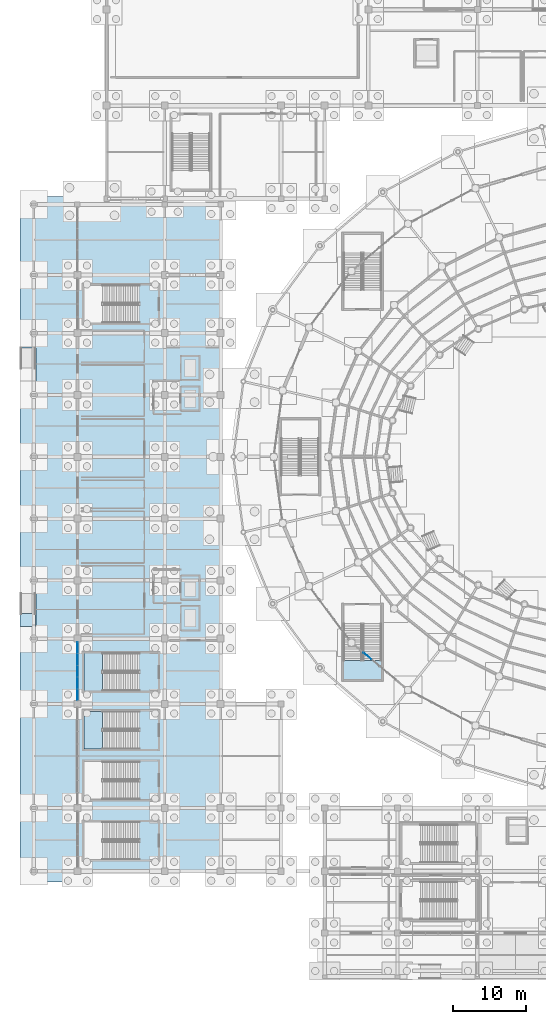
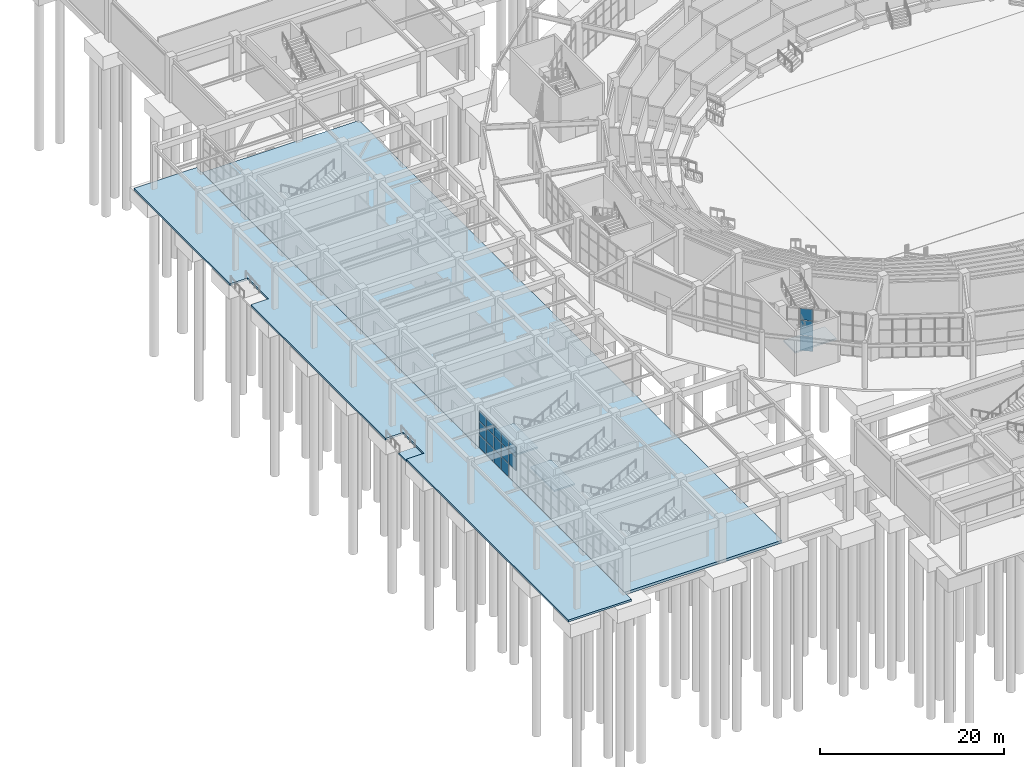
# One storey, part 64 of 121: 17 plates, 6 slabs, 6 elements without a shape of their own.
"""IFC4 building model written with IfcOpenShell, lengths in metres."""

from ifc_helpers import new_model, si_unit, direction, frame, origin, origin_2d, place, context, subcontext, project, spatial, polyline, rectangle, outline, extrude, material, layer, layer_set, type_object, element, aggregate, save


model = new_model("IFC4")

# Units and contexts
model_context = context("Model", 3, precision=1e-05, world=origin(), true_north=direction((0.0, 1.0)))
body_context = subcontext(model_context, "Body", "Model", "MODEL_VIEW")
ifc_project = project(units=[si_unit("LENGTHUNIT", "METRE"), si_unit("AREAUNIT", "SQUARE_METRE"), si_unit("VOLUMEUNIT", "CUBIC_METRE"), si_unit("PLANEANGLEUNIT", "RADIAN"), si_unit("MASSUNIT", "GRAM", prefix="KILO")], contexts=[model_context])

# Site, building, storey
site_placement = place(None, origin())
site = spatial("IfcSite", under=ifc_project, at=site_placement, CompositionType="ELEMENT")
building_placement = place(site_placement, origin())
building = spatial("IfcBuilding", under=site, at=building_placement, Name="Cuetzalor Civic Arena", CompositionType="ELEMENT")
storey_placement = place(building_placement, origin())
storey = spatial("IfcBuildingStorey", under=building, at=storey_placement, Name="L00", CompositionType="ELEMENT", Elevation=0.0)

# Curtain wall, plates
ifc_material_1 = material(Name="Anodised dark bronze aluminium and low-E solar glass", Category="aluminium")
curtain_wall_type_1 = type_object("IfcCurtainWallType", Name="UnitisedCW_8800x5700", PredefinedType="USERDEFINED", material=ifc_material_1)
curtain_wall_1_placement = place(storey_placement, origin())
curtain_wall_1 = element("IfcCurtainWall", 1, at=curtain_wall_1_placement, inside=storey, type_object=curtain_wall_type_1, Name="Drum Ground Recessed Concourse Curtain Wall L00-013", ObjectType="UNITISED CURTAIN WALL", PredefinedType="USERDEFINED")
ifc_material_2 = material(Name="Acoustic laminated solar control glass", Category="glass")
ifc_layer_1 = layer(ifc_material_2, 0.0439453125)
ifc_layer_set_1 = layer_set([ifc_layer_1], Name="Acoustic laminated solar control glass")
plate_type = type_object("IfcPlateType", Name="AcousticTripleGlazedPanel_44", PredefinedType="CURTAIN_PANEL", material=ifc_layer_set_1)
plate_1_placement = place(storey_placement, frame((-36.120361328125, -27.39501953125, 0.06982421875), z_axis=(0.0, 0.0, 1.0), x_axis=(-0.766928030459, 0.641733119059, 0.0)))
plate_1 = element("IfcPlate", 2, at=plate_1_placement, type_object=plate_type, Name="CW-03 panel 5.1", PredefinedType="CURTAIN_PANEL", context=body_context, shape_type="SweptSolid", body=[
    extrude(rectangle(XDim=1.39892578125, YDim=0.0439453125, at=origin_2d()), origin(), (0.0, 0.0, 1.0), 1.947021484375),
])
plate_2_placement = place(storey_placement, frame((-36.120361328125, -27.39501953125, 2.0869140625), z_axis=(0.0, 0.0, 1.0), x_axis=(-0.766928030459, 0.641733119059, 0.0)))
plate_2 = element("IfcPlate", 3, at=plate_2_placement, type_object=plate_type, Name="CW-03 panel 5.2", PredefinedType="CURTAIN_PANEL", context=body_context, shape_type="SweptSolid", body=[
    extrude(rectangle(XDim=1.39892578125, YDim=0.0439453125, at=origin_2d()), origin(), (0.0, 0.0, 1.0), 1.98193359375),
])
plate_3_placement = place(storey_placement, frame((-36.120361328125, -27.39501953125, 4.13916015625), z_axis=(0.0, 0.0, 1.0), x_axis=(-0.766928030459, 0.641733119059, 0.0)))
plate_3 = element("IfcPlate", 4, at=plate_3_placement, type_object=plate_type, Name="CW-03 panel 5.3", PredefinedType="CURTAIN_PANEL", context=body_context, shape_type="SweptSolid", body=[
    extrude(rectangle(XDim=1.39892578125, YDim=0.0439453125, at=origin_2d()), origin(), (0.0, 0.0, 1.0), 1.490966796875),
])
aggregate(curtain_wall_1, [plate_1, plate_2, plate_3])

ifc_material_3 = material(Name="Anodised dark bronze aluminium and low-E solar glass", Category="aluminium")
curtain_wall_type_2 = type_object("IfcCurtainWallType", Name="UnitisedCW_8100x5050", PredefinedType="USERDEFINED", material=ifc_material_3)
curtain_wall_2_placement = place(storey_placement, origin())
curtain_wall_2 = element("IfcCurtainWall", 5, at=curtain_wall_2_placement, inside=storey, type_object=curtain_wall_type_2, Name="V4W Colonnade Curtain Wall L00-105", ObjectType="UNITISED CURTAIN WALL", PredefinedType="USERDEFINED")
plate_4_placement = place(storey_placement, frame((-76.0, -32.716796875, 1.848876953125), z_axis=(0.0, 0.0, 1.0), x_axis=(0.0, 1.0, 0.0)))
plate_4 = element("IfcPlate", 6, at=plate_4_placement, type_object=plate_type, Name="CW-33 panel 1.2", PredefinedType="CURTAIN_PANEL", context=body_context, shape_type="SweptSolid", body=[
    extrude(rectangle(XDim=1.51220703125, YDim=0.0439453125, at=origin_2d()), origin(), (0.0, 0.0, 1.0), 1.7451171875),
])
plate_5_placement = place(storey_placement, frame((-76.0, -32.716796875, 3.6640625), z_axis=(0.0, 0.0, 1.0), x_axis=(0.0, 1.0, 0.0)))
plate_5 = element("IfcPlate", 7, at=plate_5_placement, type_object=plate_type, Name="CW-33 panel 1.3", PredefinedType="CURTAIN_PANEL", context=body_context, shape_type="SweptSolid", body=[
    extrude(rectangle(XDim=1.51220703125, YDim=0.0439453125, at=origin_2d()), origin(), (0.0, 0.0, 1.0), 1.305908203125),
])
plate_6_placement = place(storey_placement, frame((-76.0, -31.1171875, 0.070068359375), z_axis=(0.0, 0.0, 1.0), x_axis=(0.0, 1.0, 0.0)))
plate_6 = element("IfcPlate", 8, at=plate_6_placement, type_object=plate_type, Name="CW-33 panel 2.1", PredefinedType="CURTAIN_PANEL", context=body_context, shape_type="SweptSolid", body=[
    extrude(rectangle(XDim=1.547119140625, YDim=0.0439453125, at=origin_2d()), origin(), (0.0, 0.0, 1.0), 1.708984375),
])
plate_7_placement = place(storey_placement, frame((-76.0, -31.1171875, 1.848876953125), z_axis=(0.0, 0.0, 1.0), x_axis=(0.0, 1.0, 0.0)))
plate_7 = element("IfcPlate", 9, at=plate_7_placement, type_object=plate_type, Name="CW-33 panel 2.2", PredefinedType="CURTAIN_PANEL", context=body_context, shape_type="SweptSolid", body=[
    extrude(rectangle(XDim=1.547119140625, YDim=0.0439453125, at=origin_2d()), origin(), (0.0, 0.0, 1.0), 1.7451171875),
])
plate_8_placement = place(storey_placement, frame((-76.0, -31.1171875, 3.6640625), z_axis=(0.0, 0.0, 1.0), x_axis=(0.0, 1.0, 0.0)))
plate_8 = element("IfcPlate", 10, at=plate_8_placement, type_object=plate_type, Name="CW-33 panel 2.3", PredefinedType="CURTAIN_PANEL", context=body_context, shape_type="SweptSolid", body=[
    extrude(rectangle(XDim=1.547119140625, YDim=0.0439453125, at=origin_2d()), origin(), (0.0, 0.0, 1.0), 1.305908203125),
])
plate_9_placement = place(storey_placement, frame((-76.0, -29.5, 0.070068359375), z_axis=(0.0, 0.0, 1.0), x_axis=(0.0, 1.0, 0.0)))
plate_9 = element("IfcPlate", 11, at=plate_9_placement, type_object=plate_type, Name="CW-33 panel 3.1", PredefinedType="CURTAIN_PANEL", context=body_context, shape_type="SweptSolid", body=[
    extrude(rectangle(XDim=1.547119140625, YDim=0.0439453125, at=origin_2d()), origin(), (0.0, 0.0, 1.0), 1.708984375),
])
plate_10_placement = place(storey_placement, frame((-76.0, -29.5, 1.848876953125), z_axis=(0.0, 0.0, 1.0), x_axis=(0.0, 1.0, 0.0)))
plate_10 = element("IfcPlate", 12, at=plate_10_placement, type_object=plate_type, Name="CW-33 panel 3.2", PredefinedType="CURTAIN_PANEL", context=body_context, shape_type="SweptSolid", body=[
    extrude(rectangle(XDim=1.547119140625, YDim=0.0439453125, at=origin_2d()), origin(), (0.0, 0.0, 1.0), 1.7451171875),
])
plate_11_placement = place(storey_placement, frame((-76.0, -29.5, 3.6640625), z_axis=(0.0, 0.0, 1.0), x_axis=(0.0, 1.0, 0.0)))
plate_11 = element("IfcPlate", 13, at=plate_11_placement, type_object=plate_type, Name="CW-33 panel 3.3", PredefinedType="CURTAIN_PANEL", context=body_context, shape_type="SweptSolid", body=[
    extrude(rectangle(XDim=1.547119140625, YDim=0.0439453125, at=origin_2d()), origin(), (0.0, 0.0, 1.0), 1.305908203125),
])
plate_12_placement = place(storey_placement, frame((-76.0, -27.8828125, 0.070068359375), z_axis=(0.0, 0.0, 1.0), x_axis=(0.0, 1.0, 0.0)))
plate_12 = element("IfcPlate", 14, at=plate_12_placement, type_object=plate_type, Name="CW-33 panel 4.1", PredefinedType="CURTAIN_PANEL", context=body_context, shape_type="SweptSolid", body=[
    extrude(rectangle(XDim=1.547119140625, YDim=0.0439453125, at=origin_2d()), origin(), (0.0, 0.0, 1.0), 1.708984375),
])
plate_13_placement = place(storey_placement, frame((-76.0, -27.8828125, 1.848876953125), z_axis=(0.0, 0.0, 1.0), x_axis=(0.0, 1.0, 0.0)))
plate_13 = element("IfcPlate", 15, at=plate_13_placement, type_object=plate_type, Name="CW-33 panel 4.2", PredefinedType="CURTAIN_PANEL", context=body_context, shape_type="SweptSolid", body=[
    extrude(rectangle(XDim=1.547119140625, YDim=0.0439453125, at=origin_2d()), origin(), (0.0, 0.0, 1.0), 1.7451171875),
])
plate_14_placement = place(storey_placement, frame((-76.0, -27.8828125, 3.6640625), z_axis=(0.0, 0.0, 1.0), x_axis=(0.0, 1.0, 0.0)))
plate_14 = element("IfcPlate", 16, at=plate_14_placement, type_object=plate_type, Name="CW-33 panel 4.3", PredefinedType="CURTAIN_PANEL", context=body_context, shape_type="SweptSolid", body=[
    extrude(rectangle(XDim=1.547119140625, YDim=0.0439453125, at=origin_2d()), origin(), (0.0, 0.0, 1.0), 1.305908203125),
])
plate_15_placement = place(storey_placement, frame((-76.0, -26.283203125, 0.070068359375), z_axis=(0.0, 0.0, 1.0), x_axis=(0.0, 1.0, 0.0)))
plate_15 = element("IfcPlate", 17, at=plate_15_placement, type_object=plate_type, Name="CW-33 panel 5.1", PredefinedType="CURTAIN_PANEL", context=body_context, shape_type="SweptSolid", body=[
    extrude(rectangle(XDim=1.51220703125, YDim=0.0439453125, at=origin_2d()), origin(), (0.0, 0.0, 1.0), 1.708984375),
])
plate_16_placement = place(storey_placement, frame((-76.0, -26.283203125, 1.848876953125), z_axis=(0.0, 0.0, 1.0), x_axis=(0.0, 1.0, 0.0)))
plate_16 = element("IfcPlate", 18, at=plate_16_placement, type_object=plate_type, Name="CW-33 panel 5.2", PredefinedType="CURTAIN_PANEL", context=body_context, shape_type="SweptSolid", body=[
    extrude(rectangle(XDim=1.51220703125, YDim=0.0439453125, at=origin_2d()), origin(), (0.0, 0.0, 1.0), 1.7451171875),
])
plate_17_placement = place(storey_placement, frame((-76.0, -26.283203125, 3.6640625), z_axis=(0.0, 0.0, 1.0), x_axis=(0.0, 1.0, 0.0)))
plate_17 = element("IfcPlate", 19, at=plate_17_placement, type_object=plate_type, Name="CW-33 panel 5.3", PredefinedType="CURTAIN_PANEL", context=body_context, shape_type="SweptSolid", body=[
    extrude(rectangle(XDim=1.51220703125, YDim=0.0439453125, at=origin_2d()), origin(), (0.0, 0.0, 1.0), 1.305908203125),
])
aggregate(curtain_wall_2, [plate_4, plate_5, plate_6, plate_7, plate_8, plate_9, plate_10, plate_11, plate_12, plate_13, plate_14, plate_15, plate_16, plate_17])

# Slabs
ifc_material_4 = material(Name="Concrete C35/45", Category="concrete")
ifc_layer_2 = layer(ifc_material_4, 0.260009765625)
ifc_layer_set_2 = layer_set([ifc_layer_2], Name="Concrete C35/45")
slab_type_1 = type_object("IfcSlabType", Name="ExteriorPlazaSlab_240", PredefinedType="BASESLAB", material=ifc_layer_set_2)
slab_1_placement = place(storey_placement, frame((0.0, 0.0, -0.260009765625)))
element("IfcSlab", 20, at=slab_1_placement, inside=storey, type_object=slab_type_1, Name="Exterior V4W Civic Colonnade Plaza Paving", PredefinedType="BASESLAB", context=body_context, shape_type="SweptSolid", body=[
    extrude(outline(polyline([(-76.0, 35.800048828125), (-76.0, -58.5), (-83.89990234375, -58.5), (-83.89990234375, -23.35009765625), (-81.699951171875, -23.35009765625), (-81.699951171875, -18.820068359375), (-83.89990234375, -18.820068359375), (-83.89990234375, 10.39990234375), (-81.699951171875, 10.39990234375), (-81.699951171875, 14.929931640625), (-83.89990234375, 14.929931640625), (-83.89990234375, 35.800048828125), (-76.0, 35.800048828125)])), origin(), (0.0, 0.0, 1.0), 0.260009765625),
])
ifc_material_5 = material(Name="Concrete C35/45", Category="concrete")
ifc_layer_3 = layer(ifc_material_5, 0.35009765625)
ifc_layer_set_3 = layer_set([ifc_layer_3], Name="Concrete C35/45")
slab_type_2 = type_object("IfcSlabType", Name="GroundBaseSlab_350", PredefinedType="BASESLAB", material=ifc_layer_set_3)
slab_2_placement = place(storey_placement, frame((0.0, 0.0, -0.35009765625)))
element("IfcSlab", 21, at=slab_2_placement, inside=storey, type_object=slab_type_2, Name="V4W Concourse Ground Base Slab", PredefinedType="BASESLAB", context=body_context, shape_type="SweptSolid", body=[
    extrude(outline(polyline([(-76.0, -57.0), (-56.300048828125, -57.0), (-56.300048828125, 34.699951171875), (-76.0, 34.699951171875), (-76.0, -57.0)])), origin(), (0.0, 0.0, 1.0), 0.35009765625),
])

# Stair, slab
ifc_material_6 = material(Name="Precast concrete C40/50", Category="concrete")
stair_type = type_object("IfcStairType", Name="EnclosedExitStair_H600", PredefinedType="HALF_TURN_STAIR", material=ifc_material_6)
stair_1_placement = place(storey_placement, origin())
stair_1 = element("IfcStair", 22, at=stair_1_placement, inside=storey, type_object=stair_type, Name="L00 Enclosed Exit Stair ST-06", PredefinedType="HALF_TURN_STAIR")
ifc_material_7 = material(Name="Concrete C40/50", Category="concrete")
ifc_layer_4 = layer(ifc_material_7, 0.199951171875)
ifc_layer_set_4 = layer_set([ifc_layer_4], Name="Concrete C40/50")
slab_type_3 = type_object("IfcSlabType", Name="StairHalfLandingSlab_200", PredefinedType="LANDING", material=ifc_layer_set_4)
slab_3_placement = place(storey_placement, frame((0.0, 0.0, 2.800048828125)))
slab_3 = element("IfcSlab", 23, at=slab_3_placement, type_object=slab_type_3, Name="ST-06 landing 1", PredefinedType="LANDING", context=body_context, shape_type="SweptSolid", body=[
    extrude(outline(polyline([(-39.39990234375, -28.0380859375), (-39.39990234375, -30.60009765625), (-34.199951171875, -30.60009765625), (-34.199951171875, -28.0380859375), (-39.39990234375, -28.0380859375)])), origin(), (0.0, 0.0, 1.0), 0.199951171875),
])
aggregate(stair_1, [slab_3])

stair_2_placement = place(storey_placement, origin())
stair_2 = element("IfcStair", 24, at=stair_2_placement, inside=storey, type_object=stair_type, Name="L00 Enclosed Exit Stair ST-15", PredefinedType="HALF_TURN_STAIR")
slab_4_placement = place(storey_placement, frame((0.0, 0.0, 2.800048828125)))
slab_4 = element("IfcSlab", 25, at=slab_4_placement, type_object=slab_type_3, Name="ST-15 landing 1", PredefinedType="LANDING", context=body_context, shape_type="SweptSolid", body=[
    extrude(outline(polyline([(-72.5380859375, -35.0), (-75.10009765625, -35.0), (-75.10009765625, -40.199951171875), (-72.5380859375, -40.199951171875), (-72.5380859375, -35.0)])), origin(), (0.0, 0.0, 1.0), 0.199951171875),
])
aggregate(stair_2, [slab_4])

stair_3_placement = place(storey_placement, origin())
stair_3 = element("IfcStair", 26, at=stair_3_placement, inside=storey, type_object=stair_type, Name="L00 Enclosed Exit Stair ST-16", PredefinedType="HALF_TURN_STAIR")
slab_5_placement = place(storey_placement, frame((0.0, 0.0, 2.800048828125)))
slab_5 = element("IfcSlab", 27, at=slab_5_placement, type_object=slab_type_3, Name="ST-16 landing 1", PredefinedType="LANDING", context=body_context, shape_type="SweptSolid", body=[
    extrude(outline(polyline([(-72.5380859375, -27.0), (-75.10009765625, -27.0), (-75.10009765625, -32.199951171875), (-72.5380859375, -32.199951171875), (-72.5380859375, -27.0)])), origin(), (0.0, 0.0, 1.0), 0.199951171875),
])
aggregate(stair_3, [slab_5])

# Ramp, slab
ifc_material_8 = material(Name="Concrete C35/45 bush-hammered", Category="concrete")
ramp_type = type_object("IfcRampType", Name="AccessibleColonnadeRamp_1in12", PredefinedType="STRAIGHT_RUN_RAMP", material=ifc_material_8)
ramp_placement = place(storey_placement, origin())
ramp = element("IfcRamp", 28, at=ramp_placement, inside=storey, type_object=ramp_type, Name="Accessible Colonnade Plaza Ramp RMP-W1", PredefinedType="STRAIGHT_RUN_RAMP")
slab_6_placement = place(storey_placement, frame((0.0, 0.0, -0.43994140625)))
slab_6 = element("IfcSlab", 29, at=slab_6_placement, type_object=slab_type_3, Name="Accessible Colonnade Ramp Approach Landing RMP-W1", PredefinedType="LANDING", context=body_context, shape_type="SweptSolid", body=[
    extrude(outline(polyline([(-83.8798828125, -23.35009765625), (-81.719970703125, -23.35009765625), (-81.719970703125, -21.550048828125), (-83.8798828125, -21.550048828125), (-83.8798828125, -23.35009765625)])), origin(), (0.0, 0.0, 1.0), 0.199951171875),
])
aggregate(ramp, [slab_6])

save(model, "model.ifc")
